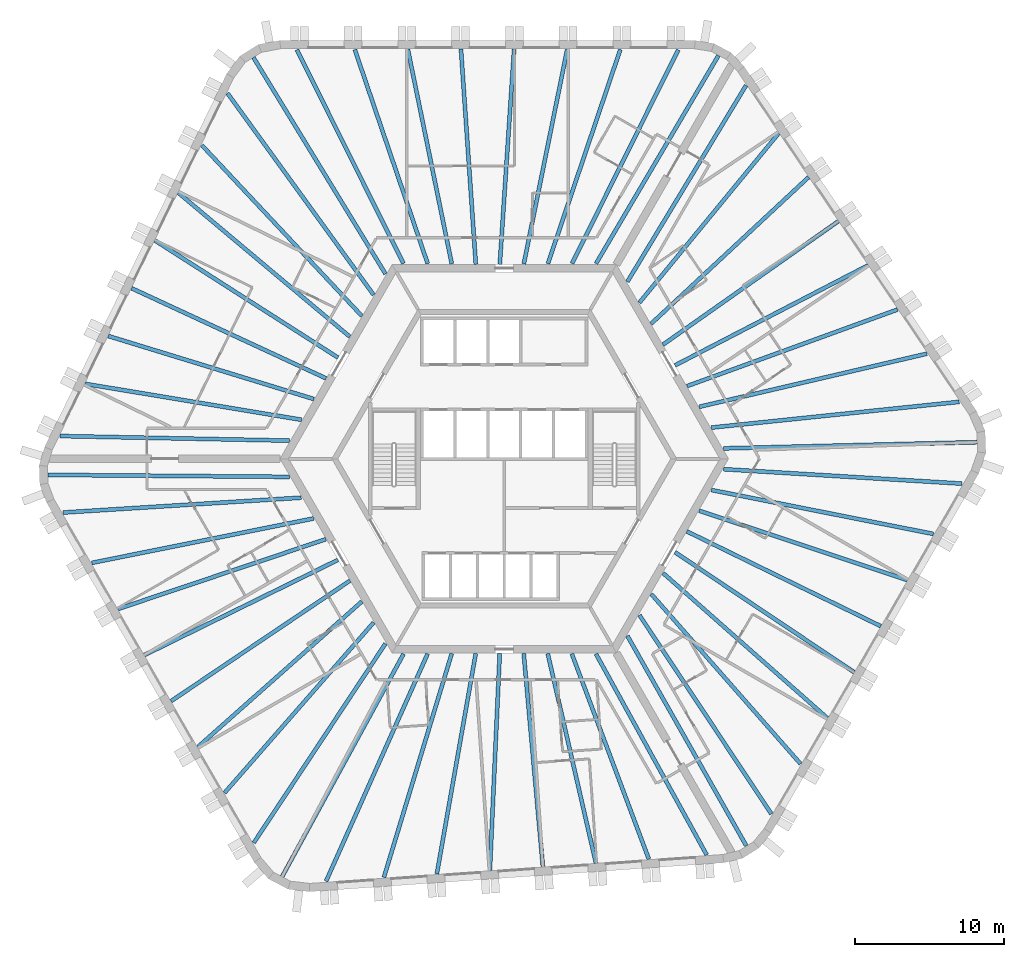
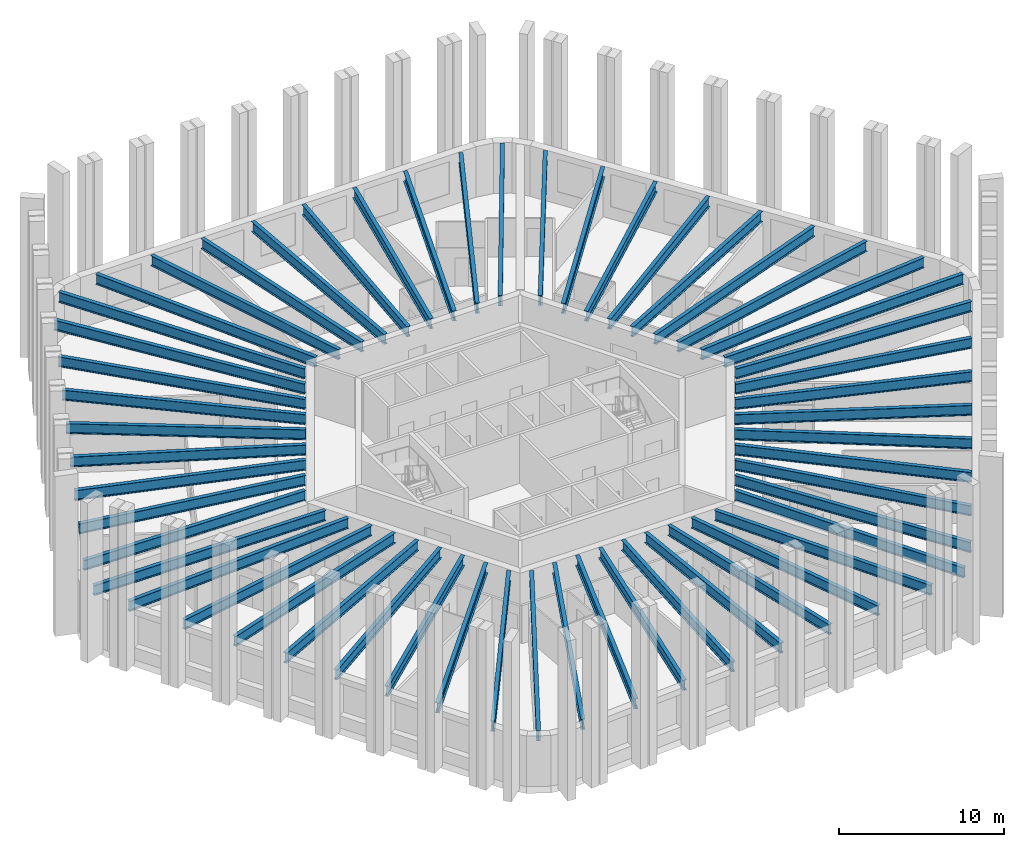
# One storey, part 1 of 10: 54 beams.
"""IFC4 building model written with IfcOpenShell, lengths in metres."""

from ifc_helpers import new_model, si_unit, direction, frame, origin, origin_2d, place, context, subcontext, project, spatial, i_section, extrude, material, material_profile, profile_set, type_object, element, save


model = new_model("IFC4")

# Units and contexts
model_context = context("Model", 3, precision=1e-05, world=origin(), true_north=direction((0.0, 1.0)))
body_context = subcontext(model_context, "Body", "Model", "MODEL_VIEW")
ifc_project = project(units=[si_unit("LENGTHUNIT", "METRE"), si_unit("AREAUNIT", "SQUARE_METRE"), si_unit("VOLUMEUNIT", "CUBIC_METRE"), si_unit("PLANEANGLEUNIT", "RADIAN"), si_unit("MASSUNIT", "GRAM", prefix="KILO")], contexts=[model_context])

# Site, building, storey
site_placement = place(None, origin())
site = spatial("IfcSite", under=ifc_project, at=site_placement, CompositionType="ELEMENT")
building_placement = place(site_placement, origin())
building = spatial("IfcBuilding", under=site, at=building_placement, Name="Tarnside Tower", CompositionType="ELEMENT")
storey_placement = place(building_placement, frame((0.0, 0.0, 152.699951171875)))
storey = spatial("IfcBuildingStorey", under=building, at=storey_placement, Name="L35", CompositionType="ELEMENT", Elevation=152.699951171875)

# Beams
ifc_material = material(Name="Steel S355", Category="steel")
ifc_material_profile_1 = material_profile(ifc_material, i_section(OverallWidth=0.26513671875, OverallDepth=0.75390625, WebThickness=0.0126953125, FlangeThickness=0.017578125, FilletRadius=0.0166015625, at=origin_2d()), Name="UB 762x267x147")
ifc_profile_set_1 = profile_set([ifc_material_profile_1], Name="Steel S355")
beam_type_1 = type_object("IfcBeamType", Name="Floor beam UB 762x267x147", PredefinedType="BEAM", material=ifc_profile_set_1)
beam_1_placement = place(storey_placement, frame((7.77001953125, 27.393310546875, 3.373046875), z_axis=(-0.320362579778, -0.947295000239, 0.0), x_axis=(0.947295000239, -0.320362579778, 0.0)))
element("IfcBeam", 1, at=beam_1_placement, inside=storey, type_object=beam_type_1, Name="Floor beam F1.02", PredefinedType="BEAM", context=body_context, shape_type="SweptSolid", body=[
    extrude(i_section(OverallWidth=0.26513671875, OverallDepth=0.75390625, WebThickness=0.0126953125, FlangeThickness=0.017578125, FilletRadius=0.0166015625, at=origin_2d()), origin(), (0.0, 0.0, 1.0), 15.134033203125),
])
beam_2_placement = place(storey_placement, frame((4.218505859375, 27.410888671875, 3.373046875), z_axis=(-0.19841777413, -0.980117537293, 0.0), x_axis=(0.980117537293, -0.19841777413, 0.0)))
element("IfcBeam", 2, at=beam_2_placement, inside=storey, type_object=beam_type_1, Name="Floor beam F1.03", PredefinedType="BEAM", context=body_context, shape_type="SweptSolid", body=[
    extrude(i_section(OverallWidth=0.26513671875, OverallDepth=0.75390625, WebThickness=0.0126953125, FlangeThickness=0.017578125, FilletRadius=0.0166015625, at=origin_2d()), origin(), (0.0, 0.0, 1.0), 14.6630859375),
])
beam_3_placement = place(storey_placement, frame((0.66259765625, 27.429931640625, 3.373046875), z_axis=(-0.066554914868, -0.997782763585, 0.0), x_axis=(0.997782763585, -0.066554914868, 0.0)))
element("IfcBeam", 3, at=beam_3_placement, inside=storey, type_object=beam_type_1, Name="Floor beam F1.04", PredefinedType="BEAM", context=body_context, shape_type="SweptSolid", body=[
    extrude(i_section(OverallWidth=0.26513671875, OverallDepth=0.75390625, WebThickness=0.0126953125, FlangeThickness=0.017578125, FilletRadius=0.0166015625, at=origin_2d()), origin(), (0.0, 0.0, 1.0), 14.44189453125),
])
beam_4_placement = place(storey_placement, frame((-2.8974609375, 27.429931640625, 3.373046875), z_axis=(0.068876921658, -0.997625164911, 0.0), x_axis=(0.997625164911, 0.068876921658, 0.0)))
element("IfcBeam", 4, at=beam_4_placement, inside=storey, type_object=beam_type_1, Name="Floor beam F1.05", PredefinedType="BEAM", context=body_context, shape_type="SweptSolid", body=[
    extrude(i_section(OverallWidth=0.26513671875, OverallDepth=0.75390625, WebThickness=0.0126953125, FlangeThickness=0.017578125, FilletRadius=0.0166015625, at=origin_2d()), origin(), (0.0, 0.0, 1.0), 14.4443359375),
])
beam_5_placement = place(storey_placement, frame((-6.45361328125, 27.410888671875, 3.373046875), z_axis=(0.200623497398, -0.979668419564, 0.0), x_axis=(0.979668419564, 0.200623497398, 0.0)))
element("IfcBeam", 5, at=beam_5_placement, inside=storey, type_object=beam_type_1, Name="Floor beam F1.06", PredefinedType="BEAM", context=body_context, shape_type="SweptSolid", body=[
    extrude(i_section(OverallWidth=0.26513671875, OverallDepth=0.75390625, WebThickness=0.0126953125, FlangeThickness=0.017578125, FilletRadius=0.0166015625, at=origin_2d()), origin(), (0.0, 0.0, 1.0), 14.669921875),
])
beam_6_placement = place(storey_placement, frame((-10.0048828125, 27.393310546875, 3.373046875), z_axis=(0.322343712034, -0.946622697442, 0.0), x_axis=(0.946622697442, 0.322343712034, 0.0)))
element("IfcBeam", 6, at=beam_6_placement, inside=storey, type_object=beam_type_1, Name="Floor beam F1.07", PredefinedType="BEAM", context=body_context, shape_type="SweptSolid", body=[
    extrude(i_section(OverallWidth=0.26513671875, OverallDepth=0.75390625, WebThickness=0.0126953125, FlangeThickness=0.017578125, FilletRadius=0.0166015625, at=origin_2d()), origin(), (0.0, 0.0, 1.0), 15.144775390625),
])
beam_7_placement = place(storey_placement, frame((-20.241455078125, 20.9892578125, 3.373046875), z_axis=(0.683752330283, -0.729714156936, 0.0), x_axis=(0.729714156936, 0.683752330283, 0.0)))
element("IfcBeam", 7, at=beam_7_placement, inside=storey, type_object=beam_type_1, Name="Floor beam F2.02", PredefinedType="BEAM", context=body_context, shape_type="SweptSolid", body=[
    extrude(i_section(OverallWidth=0.26513671875, OverallDepth=0.75390625, WebThickness=0.0126953125, FlangeThickness=0.017578125, FilletRadius=0.0166015625, at=origin_2d()), origin(), (0.0, 0.0, 1.0), 15.6591796875),
])
beam_8_placement = place(storey_placement, frame((-21.81396484375, 17.80419921875, 3.373046875), z_axis=(0.765948461073, -0.642901979294, 0.0), x_axis=(0.642901979294, 0.765948461073, 0.0)))
element("IfcBeam", 8, at=beam_8_placement, inside=storey, type_object=beam_type_1, Name="Floor beam F2.03", PredefinedType="BEAM", context=body_context, shape_type="SweptSolid", body=[
    extrude(i_section(OverallWidth=0.26513671875, OverallDepth=0.75390625, WebThickness=0.0126953125, FlangeThickness=0.017578125, FilletRadius=0.0166015625, at=origin_2d()), origin(), (0.0, 0.0, 1.0), 14.982177734375),
])
beam_9_placement = place(storey_placement, frame((-23.389892578125, 14.616455078125, 3.373046875), z_axis=(0.842378275633, -0.538886667808, 0.0), x_axis=(0.538886667808, 0.842378275633, 0.0)))
element("IfcBeam", 9, at=beam_9_placement, inside=storey, type_object=beam_type_1, Name="Floor beam F2.04", PredefinedType="BEAM", context=body_context, shape_type="SweptSolid", body=[
    extrude(i_section(OverallWidth=0.26513671875, OverallDepth=0.75390625, WebThickness=0.0126953125, FlangeThickness=0.017578125, FilletRadius=0.0166015625, at=origin_2d()), origin(), (0.0, 0.0, 1.0), 14.5595703125),
])
beam_10_placement = place(storey_placement, frame((-24.9501953125, 11.416748046875, 3.373046875), z_axis=(0.907310131748, -0.420462037321, 0.0), x_axis=(0.420462037321, 0.907310131748, 0.0)))
element("IfcBeam", 10, at=beam_10_placement, inside=storey, type_object=beam_type_1, Name="Floor beam F2.05", PredefinedType="BEAM", context=body_context, shape_type="SweptSolid", body=[
    extrude(i_section(OverallWidth=0.26513671875, OverallDepth=0.75390625, WebThickness=0.0126953125, FlangeThickness=0.017578125, FilletRadius=0.0166015625, at=origin_2d()), origin(), (0.0, 0.0, 1.0), 14.353515625),
])
beam_11_placement = place(storey_placement, frame((-26.510986328125, 8.2177734375, 3.373046875), z_axis=(0.956073348261, -0.293127536654, 0.0), x_axis=(0.293127536654, 0.956073348261, 0.0)))
element("IfcBeam", 11, at=beam_11_placement, inside=storey, type_object=beam_type_1, Name="Floor beam F2.06", PredefinedType="BEAM", context=body_context, shape_type="SweptSolid", body=[
    extrude(i_section(OverallWidth=0.26513671875, OverallDepth=0.75390625, WebThickness=0.0126953125, FlangeThickness=0.017578125, FilletRadius=0.0166015625, at=origin_2d()), origin(), (0.0, 0.0, 1.0), 14.3955078125),
])
beam_12_placement = place(storey_placement, frame((-28.0517578125, 5.015869140625, 3.373046875), z_axis=(0.986476498304, -0.163902770858, 0.0), x_axis=(0.163902770858, 0.986476498304, 0.0)))
element("IfcBeam", 12, at=beam_12_placement, inside=storey, type_object=beam_type_1, Name="Floor beam F2.07", PredefinedType="BEAM", context=body_context, shape_type="SweptSolid", body=[
    extrude(i_section(OverallWidth=0.26513671875, OverallDepth=0.75390625, WebThickness=0.0126953125, FlangeThickness=0.017578125, FilletRadius=0.0166015625, at=origin_2d()), origin(), (0.0, 0.0, 1.0), 14.680908203125),
])
beam_13_placement = place(storey_placement, frame((-29.73828125, 1.521484375, 3.373046875), z_axis=(0.999800142641, -0.019991867701, 0.0), x_axis=(0.019991867701, 0.999800142641, 0.0)))
element("IfcBeam", 13, at=beam_13_placement, inside=storey, type_object=beam_type_1, Name="Floor beam F2.08", PredefinedType="BEAM", context=body_context, shape_type="SweptSolid", body=[
    extrude(i_section(OverallWidth=0.26513671875, OverallDepth=0.75390625, WebThickness=0.0126953125, FlangeThickness=0.017578125, FilletRadius=0.0166015625, at=origin_2d()), origin(), (0.0, 0.0, 1.0), 15.3505859375),
])
beam_14_placement = place(storey_placement, frame((-27.608154296875, -6.967529296875, 3.373046875), z_axis=(0.980564540422, 0.196196794232, 0.0), x_axis=(-0.196196794232, 0.980564540422, 0.0)))
element("IfcBeam", 14, at=beam_14_placement, inside=storey, type_object=beam_type_1, Name="Floor beam F3.02", PredefinedType="BEAM", context=body_context, shape_type="SweptSolid", body=[
    extrude(i_section(OverallWidth=0.26513671875, OverallDepth=0.75390625, WebThickness=0.0126953125, FlangeThickness=0.017578125, FilletRadius=0.0166015625, at=origin_2d()), origin(), (0.0, 0.0, 1.0), 15.134033203125),
])
beam_15_placement = place(storey_placement, frame((-25.84765625, -10.052001953125, 3.373046875), z_axis=(0.948011835322, 0.31823507049, 0.0), x_axis=(-0.31823507049, 0.948011835322, 0.0)))
element("IfcBeam", 15, at=beam_15_placement, inside=storey, type_object=beam_type_1, Name="Floor beam F3.03", PredefinedType="BEAM", context=body_context, shape_type="SweptSolid", body=[
    extrude(i_section(OverallWidth=0.26513671875, OverallDepth=0.75390625, WebThickness=0.0126953125, FlangeThickness=0.017578125, FilletRadius=0.0166015625, at=origin_2d()), origin(), (0.0, 0.0, 1.0), 14.662841796875),
])
beam_16_placement = place(storey_placement, frame((-24.086181640625, -13.141357421875, 3.373046875), z_axis=(0.897375974806, 0.441266767206, 0.0), x_axis=(-0.441266767206, 0.897375974806, 0.0)))
element("IfcBeam", 16, at=beam_16_placement, inside=storey, type_object=beam_type_1, Name="Floor beam F3.04", PredefinedType="BEAM", context=body_context, shape_type="SweptSolid", body=[
    extrude(i_section(OverallWidth=0.26513671875, OverallDepth=0.75390625, WebThickness=0.0126953125, FlangeThickness=0.017578125, FilletRadius=0.0166015625, at=origin_2d()), origin(), (0.0, 0.0, 1.0), 14.442138671875),
])
beam_17_placement = place(storey_placement, frame((-22.306396484375, -16.224365234375, 3.373046875), z_axis=(0.829532486243, 0.558458462437, 0.0), x_axis=(-0.558458462437, 0.829532486243, 0.0)))
element("IfcBeam", 17, at=beam_17_placement, inside=storey, type_object=beam_type_1, Name="Floor beam F3.05", PredefinedType="BEAM", context=body_context, shape_type="SweptSolid", body=[
    extrude(i_section(OverallWidth=0.26513671875, OverallDepth=0.75390625, WebThickness=0.0126953125, FlangeThickness=0.017578125, FilletRadius=0.0166015625, at=origin_2d()), origin(), (0.0, 0.0, 1.0), 14.444580078125),
])
beam_18_placement = place(storey_placement, frame((-20.51171875, -19.294189453125, 3.373046875), z_axis=(0.74811408094, 0.663570133369, 0.0), x_axis=(-0.663570133369, 0.74811408094, 0.0)))
element("IfcBeam", 18, at=beam_18_placement, inside=storey, type_object=beam_type_1, Name="Floor beam F3.06", PredefinedType="BEAM", context=body_context, shape_type="SweptSolid", body=[
    extrude(i_section(OverallWidth=0.26513671875, OverallDepth=0.75390625, WebThickness=0.0126953125, FlangeThickness=0.017578125, FilletRadius=0.0166015625, at=origin_2d()), origin(), (0.0, 0.0, 1.0), 14.669677734375),
])
beam_19_placement = place(storey_placement, frame((-18.720703125, -22.361083984375, 3.373046875), z_axis=(0.658621010302, 0.752474826681, 0.0), x_axis=(-0.752474826681, 0.658621010302, 0.0)))
element("IfcBeam", 19, at=beam_19_placement, inside=storey, type_object=beam_type_1, Name="Floor beam F3.07", PredefinedType="BEAM", context=body_context, shape_type="SweptSolid", body=[
    extrude(i_section(OverallWidth=0.26513671875, OverallDepth=0.75390625, WebThickness=0.0126953125, FlangeThickness=0.017578125, FilletRadius=0.0166015625, at=origin_2d()), origin(), (0.0, 0.0, 1.0), 15.144775390625),
])
beam_20_placement = place(storey_placement, frame((-8.056396484375, -28.024169921875, 3.373046875), z_axis=(0.290070138838, 0.957005388989, 0.0), x_axis=(-0.957005388989, 0.290070138838, 0.0)))
element("IfcBeam", 20, at=beam_20_placement, inside=storey, type_object=beam_type_1, Name="Floor beam F4.02", PredefinedType="BEAM", context=body_context, shape_type="SweptSolid", body=[
    extrude(i_section(OverallWidth=0.26513671875, OverallDepth=0.75390625, WebThickness=0.0126953125, FlangeThickness=0.017578125, FilletRadius=0.0166015625, at=origin_2d()), origin(), (0.0, 0.0, 1.0), 15.6591796875),
])
beam_21_placement = place(storey_placement, frame((-4.511962890625, -27.793701171875, 3.373046875), z_axis=(0.173788122681, 0.984783066678, 0.0), x_axis=(-0.984783066678, 0.173788122681, 0.0)))
element("IfcBeam", 21, at=beam_21_placement, inside=storey, type_object=beam_type_1, Name="Floor beam F4.03", PredefinedType="BEAM", context=body_context, shape_type="SweptSolid", body=[
    extrude(i_section(OverallWidth=0.26513671875, OverallDepth=0.75390625, WebThickness=0.0126953125, FlangeThickness=0.017578125, FilletRadius=0.0166015625, at=origin_2d()), origin(), (0.0, 0.0, 1.0), 14.982421875),
])
beam_22_placement = place(storey_placement, frame((-0.96337890625, -27.564453125, 3.373046875), z_axis=(0.045509585226, 0.998963902077, 0.0), x_axis=(-0.998963902077, 0.045509585226, 0.0)))
element("IfcBeam", 22, at=beam_22_placement, inside=storey, type_object=beam_type_1, Name="Floor beam F4.04", PredefinedType="BEAM", context=body_context, shape_type="SweptSolid", body=[
    extrude(i_section(OverallWidth=0.26513671875, OverallDepth=0.75390625, WebThickness=0.0126953125, FlangeThickness=0.017578125, FilletRadius=0.0166015625, at=origin_2d()), origin(), (0.0, 0.0, 1.0), 14.5595703125),
])
beam_23_placement = place(storey_placement, frame((2.587890625, -27.31591796875, 3.373046875), z_axis=(-0.089518916897, 0.995985122137, 0.0), x_axis=(-0.995985122137, -0.089518916897, 0.0)))
element("IfcBeam", 23, at=beam_23_placement, inside=storey, type_object=beam_type_1, Name="Floor beam F4.05", PredefinedType="BEAM", context=body_context, shape_type="SweptSolid", body=[
    extrude(i_section(OverallWidth=0.26513671875, OverallDepth=0.75390625, WebThickness=0.0126953125, FlangeThickness=0.017578125, FilletRadius=0.0166015625, at=origin_2d()), origin(), (0.0, 0.0, 1.0), 14.353515625),
])
beam_24_placement = place(storey_placement, frame((6.138671875, -27.068115234375, 3.373046875), z_axis=(-0.224188122435, 0.974545886944, 0.0), x_axis=(-0.974545886944, -0.224188122435, 0.0)))
element("IfcBeam", 24, at=beam_24_placement, inside=storey, type_object=beam_type_1, Name="Floor beam F4.06", PredefinedType="BEAM", context=body_context, shape_type="SweptSolid", body=[
    extrude(i_section(OverallWidth=0.26513671875, OverallDepth=0.75390625, WebThickness=0.0126953125, FlangeThickness=0.017578125, FilletRadius=0.0166015625, at=origin_2d()), origin(), (0.0, 0.0, 1.0), 14.3955078125),
])
beam_25_placement = place(storey_placement, frame((9.681884765625, -26.801513671875, 3.373046875), z_axis=(-0.351271055087, 0.936273809234, 0.0), x_axis=(-0.936273809234, -0.351271055087, 0.0)))
element("IfcBeam", 25, at=beam_25_placement, inside=storey, type_object=beam_type_1, Name="Floor beam F4.07", PredefinedType="BEAM", context=body_context, shape_type="SweptSolid", body=[
    extrude(i_section(OverallWidth=0.26513671875, OverallDepth=0.75390625, WebThickness=0.0126953125, FlangeThickness=0.017578125, FilletRadius=0.0166015625, at=origin_2d()), origin(), (0.0, 0.0, 1.0), 14.680908203125),
])
beam_26_placement = place(storey_placement, frame((13.551513671875, -26.514892578125, 3.373046875), z_axis=(-0.482584088089, 0.875849643445, 0.0), x_axis=(-0.875849643445, -0.482584088089, 0.0)))
element("IfcBeam", 26, at=beam_26_placement, inside=storey, type_object=beam_type_1, Name="Floor beam F4.08", PredefinedType="BEAM", context=body_context, shape_type="SweptSolid", body=[
    extrude(i_section(OverallWidth=0.26513671875, OverallDepth=0.75390625, WebThickness=0.0126953125, FlangeThickness=0.017578125, FilletRadius=0.0166015625, at=origin_2d()), origin(), (0.0, 0.0, 1.0), 15.3505859375),
])
beam_27_placement = place(storey_placement, frame((19.838134765625, -20.425537109375, 3.373046875), z_axis=(-0.660201214512, 0.751088780609, 0.0), x_axis=(-0.751088780609, -0.660201214512, 0.0)))
element("IfcBeam", 27, at=beam_27_placement, inside=storey, type_object=beam_type_1, Name="Floor beam F5.02", PredefinedType="BEAM", context=body_context, shape_type="SweptSolid", body=[
    extrude(i_section(OverallWidth=0.26513671875, OverallDepth=0.75390625, WebThickness=0.0126953125, FlangeThickness=0.017578125, FilletRadius=0.0166015625, at=origin_2d()), origin(), (0.0, 0.0, 1.0), 15.134033203125),
])
beam_28_placement = place(storey_placement, frame((21.629150390625, -17.358642578125, 3.373046875), z_axis=(-0.749601662028, 0.661889226597, 0.0), x_axis=(-0.661889226597, -0.749601662028, 0.0)))
element("IfcBeam", 28, at=beam_28_placement, inside=storey, type_object=beam_type_1, Name="Floor beam F5.03", PredefinedType="BEAM", context=body_context, shape_type="SweptSolid", body=[
    extrude(i_section(OverallWidth=0.26513671875, OverallDepth=0.75390625, WebThickness=0.0126953125, FlangeThickness=0.017578125, FilletRadius=0.0166015625, at=origin_2d()), origin(), (0.0, 0.0, 1.0), 14.6630859375),
])
beam_29_placement = place(storey_placement, frame((23.423828125, -14.288818359375, 3.373046875), z_axis=(-0.830825943553, 0.556532345439, 0.0), x_axis=(-0.556532345439, -0.830825943553, 0.0)))
element("IfcBeam", 29, at=beam_29_placement, inside=storey, type_object=beam_type_1, Name="Floor beam F5.04", PredefinedType="BEAM", context=body_context, shape_type="SweptSolid", body=[
    extrude(i_section(OverallWidth=0.26513671875, OverallDepth=0.75390625, WebThickness=0.0126953125, FlangeThickness=0.017578125, FilletRadius=0.0166015625, at=origin_2d()), origin(), (0.0, 0.0, 1.0), 14.4423828125),
])
beam_30_placement = place(storey_placement, frame((25.203857421875, -11.205810546875, 3.373046875), z_axis=(-0.898407034897, 0.43916375038, 0.0), x_axis=(-0.43916375038, -0.898407034897, 0.0)))
element("IfcBeam", 30, at=beam_30_placement, inside=storey, type_object=beam_type_1, Name="Floor beam F5.05", PredefinedType="BEAM", context=body_context, shape_type="SweptSolid", body=[
    extrude(i_section(OverallWidth=0.26513671875, OverallDepth=0.75390625, WebThickness=0.0126953125, FlangeThickness=0.017578125, FilletRadius=0.0166015625, at=origin_2d()), origin(), (0.0, 0.0, 1.0), 14.444580078125),
])
beam_31_placement = place(storey_placement, frame((26.965087890625, -8.116455078125, 3.373046875), z_axis=(-0.948728223501, 0.31609295774, 0.0), x_axis=(-0.31609295774, -0.948728223501, 0.0)))
element("IfcBeam", 31, at=beam_31_placement, inside=storey, type_object=beam_type_1, Name="Floor beam F5.06", PredefinedType="BEAM", context=body_context, shape_type="SweptSolid", body=[
    extrude(i_section(OverallWidth=0.26513671875, OverallDepth=0.75390625, WebThickness=0.0126953125, FlangeThickness=0.017578125, FilletRadius=0.0166015625, at=origin_2d()), origin(), (0.0, 0.0, 1.0), 14.669677734375),
])
beam_32_placement = place(storey_placement, frame((28.7255859375, -5.031982421875, 3.373046875), z_axis=(-0.980974250646, 0.194137888034, 0.0), x_axis=(-0.194137888034, -0.980974250646, 0.0)))
element("IfcBeam", 32, at=beam_32_placement, inside=storey, type_object=beam_type_1, Name="Floor beam F5.07", PredefinedType="BEAM", context=body_context, shape_type="SweptSolid", body=[
    extrude(i_section(OverallWidth=0.26513671875, OverallDepth=0.75390625, WebThickness=0.0126953125, FlangeThickness=0.017578125, FilletRadius=0.0166015625, at=origin_2d()), origin(), (0.0, 0.0, 1.0), 15.144775390625),
])
beam_33_placement = place(storey_placement, frame((28.2978515625, 7.034912109375, 3.373046875), z_axis=(-0.973828212928, -0.227285309042, 0.0), x_axis=(0.227285309042, -0.973828212928, 0.0)))
element("IfcBeam", 33, at=beam_33_placement, inside=storey, type_object=beam_type_1, Name="Floor beam F6.02", PredefinedType="BEAM", context=body_context, shape_type="SweptSolid", body=[
    extrude(i_section(OverallWidth=0.26513671875, OverallDepth=0.75390625, WebThickness=0.0126953125, FlangeThickness=0.017578125, FilletRadius=0.0166015625, at=origin_2d()), origin(), (0.0, 0.0, 1.0), 15.6591796875),
])
beam_34_placement = place(storey_placement, frame((26.325927734375, 9.989501953125, 3.373046875), z_axis=(-0.939738697004, -0.341893523415, 0.0), x_axis=(0.341893523415, -0.939738697004, 0.0)))
element("IfcBeam", 34, at=beam_34_placement, inside=storey, type_object=beam_type_1, Name="Floor beam F6.03", PredefinedType="BEAM", context=body_context, shape_type="SweptSolid", body=[
    extrude(i_section(OverallWidth=0.26513671875, OverallDepth=0.75390625, WebThickness=0.0126953125, FlangeThickness=0.017578125, FilletRadius=0.0166015625, at=origin_2d()), origin(), (0.0, 0.0, 1.0), 14.982177734375),
])
beam_35_placement = place(storey_placement, frame((24.353271484375, 12.947998046875, 3.373046875), z_axis=(-0.887881646639, -0.460071930856, 0.0), x_axis=(0.460071930856, -0.887881646639, 0.0)))
element("IfcBeam", 35, at=beam_35_placement, inside=storey, type_object=beam_type_1, Name="Floor beam F6.04", PredefinedType="BEAM", context=body_context, shape_type="SweptSolid", body=[
    extrude(i_section(OverallWidth=0.26513671875, OverallDepth=0.75390625, WebThickness=0.0126953125, FlangeThickness=0.017578125, FilletRadius=0.0166015625, at=origin_2d()), origin(), (0.0, 0.0, 1.0), 14.5595703125),
])
beam_36_placement = place(storey_placement, frame((22.3623046875, 15.899169921875, 3.373046875), z_axis=(-0.817791001708, -0.575515314762, 0.0), x_axis=(0.575515314762, -0.817791001708, 0.0)))
element("IfcBeam", 36, at=beam_36_placement, inside=storey, type_object=beam_type_1, Name="Floor beam F6.05", PredefinedType="BEAM", context=body_context, shape_type="SweptSolid", body=[
    extrude(i_section(OverallWidth=0.26513671875, OverallDepth=0.75390625, WebThickness=0.0126953125, FlangeThickness=0.017578125, FilletRadius=0.0166015625, at=origin_2d()), origin(), (0.0, 0.0, 1.0), 14.353759765625),
])
beam_37_placement = place(storey_placement, frame((20.372314453125, 18.850341796875, 3.373046875), z_axis=(-0.731892224456, -0.681420407517, 0.0), x_axis=(0.681420407517, -0.731892224456, 0.0)))
element("IfcBeam", 37, at=beam_37_placement, inside=storey, type_object=beam_type_1, Name="Floor beam F6.06", PredefinedType="BEAM", context=body_context, shape_type="SweptSolid", body=[
    extrude(i_section(OverallWidth=0.26513671875, OverallDepth=0.75390625, WebThickness=0.0126953125, FlangeThickness=0.017578125, FilletRadius=0.0166015625, at=origin_2d()), origin(), (0.0, 0.0, 1.0), 14.3955078125),
])
beam_38_placement = place(storey_placement, frame((18.369873046875, 21.78564453125, 3.373046875), z_axis=(-0.635191827457, -0.772354414975, 0.0), x_axis=(0.772354414975, -0.635191827457, 0.0)))
element("IfcBeam", 38, at=beam_38_placement, inside=storey, type_object=beam_type_1, Name="Floor beam F6.07", PredefinedType="BEAM", context=body_context, shape_type="SweptSolid", body=[
    extrude(i_section(OverallWidth=0.26513671875, OverallDepth=0.75390625, WebThickness=0.0126953125, FlangeThickness=0.017578125, FilletRadius=0.0166015625, at=origin_2d()), origin(), (0.0, 0.0, 1.0), 14.680908203125),
])
beam_39_placement = place(storey_placement, frame((16.186767578125, 24.993408203125, 3.373046875), z_axis=(-0.517208605106, -0.855859368591, 0.0), x_axis=(0.855859368591, -0.517208605106, 0.0)))
element("IfcBeam", 39, at=beam_39_placement, inside=storey, type_object=beam_type_1, Name="Floor beam F6.08", PredefinedType="BEAM", context=body_context, shape_type="SweptSolid", body=[
    extrude(i_section(OverallWidth=0.26513671875, OverallDepth=0.75390625, WebThickness=0.0126953125, FlangeThickness=0.017578125, FilletRadius=0.0166015625, at=origin_2d()), origin(), (0.0, 0.0, 1.0), 15.3505859375),
])
ifc_material_profile_2 = material_profile(ifc_material, i_section(OverallWidth=0.2666015625, OverallDepth=0.76220703125, WebThickness=0.014404296875, FlangeThickness=0.021484375, FilletRadius=0.0166015625, at=origin_2d()), Name="UB 762x267x173")
ifc_profile_set_2 = profile_set([ifc_material_profile_2], Name="Steel S355")
beam_type_2 = type_object("IfcBeamType", Name="Floor beam UB 762x267x173", PredefinedType="BEAM", material=ifc_profile_set_2)
beam_40_placement = place(storey_placement, frame((11.6494140625, 27.37841796875, 3.368896484375), z_axis=(-0.445042310328, -0.895509543231, 0.0), x_axis=(0.895509543231, -0.445042310328, 0.0)))
element("IfcBeam", 40, at=beam_40_placement, inside=storey, type_object=beam_type_2, Name="Floor beam F1.01", PredefinedType="BEAM", context=body_context, shape_type="SweptSolid", body=[
    extrude(i_section(OverallWidth=0.2666015625, OverallDepth=0.76220703125, WebThickness=0.014404296875, FlangeThickness=0.021484375, FilletRadius=0.0166015625, at=origin_2d()), origin(), (0.0, 0.0, 1.0), 15.976318359375),
])
beam_41_placement = place(storey_placement, frame((-13.884521484375, 27.37841796875, 3.368896484375), z_axis=(0.44673108957, -0.894668281326, 0.0), x_axis=(0.894668281326, 0.44673108957, 0.0)))
element("IfcBeam", 41, at=beam_41_placement, inside=storey, type_object=beam_type_2, Name="Floor beam F1.08", PredefinedType="BEAM", context=body_context, shape_type="SweptSolid", body=[
    extrude(i_section(OverallWidth=0.2666015625, OverallDepth=0.76220703125, WebThickness=0.014404296875, FlangeThickness=0.021484375, FilletRadius=0.0166015625, at=origin_2d()), origin(), (0.0, 0.0, 1.0), 15.9912109375),
])
beam_42_placement = place(storey_placement, frame((-16.79345703125, 26.86962890625, 3.368896484375), z_axis=(0.520940467881, -0.853593011291, 0.0), x_axis=(0.853593011291, 0.520940467881, 0.0)))
element("IfcBeam", 42, at=beam_42_placement, inside=storey, type_object=beam_type_2, Name="Floor beam C1", PredefinedType="BEAM", context=body_context, shape_type="SweptSolid", body=[
    extrude(i_section(OverallWidth=0.2666015625, OverallDepth=0.76220703125, WebThickness=0.014404296875, FlangeThickness=0.021484375, FilletRadius=0.0166015625, at=origin_2d()), origin(), (0.0, 0.0, 1.0), 16.980712890625),
])
beam_43_placement = place(storey_placement, frame((-18.52685546875, 24.471435546875, 3.368896484375), z_axis=(0.586791943415, -0.80973774467, 0.0), x_axis=(0.80973774467, 0.586791943415, 0.0)))
element("IfcBeam", 43, at=beam_43_placement, inside=storey, type_object=beam_type_2, Name="Floor beam F2.01", PredefinedType="BEAM", context=body_context, shape_type="SweptSolid", body=[
    extrude(i_section(OverallWidth=0.2666015625, OverallDepth=0.76220703125, WebThickness=0.014404296875, FlangeThickness=0.021484375, FilletRadius=0.0166015625, at=origin_2d()), origin(), (0.0, 0.0, 1.0), 16.67578125),
])
beam_44_placement = place(storey_placement, frame((-30.543212890625, -1.079345703125, 3.368896484375), z_axis=(0.999966072652, -0.008237326324, 0.0), x_axis=(0.008237326324, 0.999966072652, 0.0)))
element("IfcBeam", 44, at=beam_44_placement, inside=storey, type_object=beam_type_2, Name="Floor beam C2", PredefinedType="BEAM", context=body_context, shape_type="SweptSolid", body=[
    extrude(i_section(OverallWidth=0.2666015625, OverallDepth=0.76220703125, WebThickness=0.014404296875, FlangeThickness=0.021484375, FilletRadius=0.0166015625, at=origin_2d()), origin(), (0.0, 0.0, 1.0), 16.15283203125),
])
beam_45_placement = place(storey_placement, frame((-29.534912109375, -3.6005859375, 3.368896484375), z_axis=(0.99805531279, 0.062334521832, 0.0), x_axis=(-0.062334521832, 0.99805531279, 0.0)))
element("IfcBeam", 45, at=beam_45_placement, inside=storey, type_object=beam_type_2, Name="Floor beam F3.01", PredefinedType="BEAM", context=body_context, shape_type="SweptSolid", body=[
    extrude(i_section(OverallWidth=0.2666015625, OverallDepth=0.76220703125, WebThickness=0.014404296875, FlangeThickness=0.021484375, FilletRadius=0.0166015625, at=origin_2d()), origin(), (0.0, 0.0, 1.0), 15.975830078125),
])
beam_46_placement = place(storey_placement, frame((-16.768310546875, -25.71337890625, 3.368896484375), z_axis=(0.551447600123, 0.834209532623, 0.0), x_axis=(-0.834209532623, 0.551447600123, 0.0)))
element("IfcBeam", 46, at=beam_46_placement, inside=storey, type_object=beam_type_2, Name="Floor beam F3.08", PredefinedType="BEAM", context=body_context, shape_type="SweptSolid", body=[
    extrude(i_section(OverallWidth=0.2666015625, OverallDepth=0.76220703125, WebThickness=0.014404296875, FlangeThickness=0.021484375, FilletRadius=0.0166015625, at=origin_2d()), origin(), (0.0, 0.0, 1.0), 15.9912109375),
])
beam_47_placement = place(storey_placement, frame((-14.873046875, -27.978515625, 3.368896484375), z_axis=(0.478767512404, 0.877941723047, 0.0), x_axis=(-0.877941723047, 0.478767512404, 0.0)))
element("IfcBeam", 47, at=beam_47_placement, inside=storey, type_object=beam_type_2, Name="Floor beam C3", PredefinedType="BEAM", context=body_context, shape_type="SweptSolid", body=[
    extrude(i_section(OverallWidth=0.2666015625, OverallDepth=0.76220703125, WebThickness=0.014404296875, FlangeThickness=0.021484375, FilletRadius=0.0166015625, at=origin_2d()), origin(), (0.0, 0.0, 1.0), 16.98095703125),
])
beam_48_placement = place(storey_placement, frame((-11.929443359375, -28.280517578125, 3.368896484375), z_axis=(0.407852035629, 0.913048036542, 0.0), x_axis=(-0.913048036542, 0.407852035629, 0.0)))
element("IfcBeam", 48, at=beam_48_placement, inside=storey, type_object=beam_type_2, Name="Floor beam F4.01", PredefinedType="BEAM", context=body_context, shape_type="SweptSolid", body=[
    extrude(i_section(OverallWidth=0.2666015625, OverallDepth=0.76220703125, WebThickness=0.014404296875, FlangeThickness=0.021484375, FilletRadius=0.0166015625, at=origin_2d()), origin(), (0.0, 0.0, 1.0), 16.67578125),
])
beam_49_placement = place(storey_placement, frame((16.206298828125, -25.91162109375, 3.368896484375), z_axis=(-0.492847437034, 0.870115741616, 0.0), x_axis=(-0.870115741616, -0.492847437034, 0.0)))
element("IfcBeam", 49, at=beam_49_placement, inside=storey, type_object=beam_type_2, Name="Floor beam C4", PredefinedType="BEAM", context=body_context, shape_type="SweptSolid", body=[
    extrude(i_section(OverallWidth=0.2666015625, OverallDepth=0.76220703125, WebThickness=0.014404296875, FlangeThickness=0.021484375, FilletRadius=0.0166015625, at=origin_2d()), origin(), (0.0, 0.0, 1.0), 16.15283203125),
])
beam_50_placement = place(storey_placement, frame((17.8857421875, -23.77783203125, 3.368896484375), z_axis=(-0.553013371197, 0.833172377889, 0.0), x_axis=(-0.833172377889, -0.553013371197, 0.0)))
element("IfcBeam", 50, at=beam_50_placement, inside=storey, type_object=beam_type_2, Name="Floor beam F5.01", PredefinedType="BEAM", context=body_context, shape_type="SweptSolid", body=[
    extrude(i_section(OverallWidth=0.2666015625, OverallDepth=0.76220703125, WebThickness=0.014404296875, FlangeThickness=0.021484375, FilletRadius=0.0166015625, at=origin_2d()), origin(), (0.0, 0.0, 1.0), 15.97607421875),
])
beam_51_placement = place(storey_placement, frame((30.652587890625, -1.6650390625, 3.368896484375), z_axis=(-0.998170730858, 0.060458184371, 0.0), x_axis=(-0.060458184371, -0.998170730858, 0.0)))
element("IfcBeam", 51, at=beam_51_placement, inside=storey, type_object=beam_type_2, Name="Floor beam F5.08", PredefinedType="BEAM", context=body_context, shape_type="SweptSolid", body=[
    extrude(i_section(OverallWidth=0.2666015625, OverallDepth=0.76220703125, WebThickness=0.014404296875, FlangeThickness=0.021484375, FilletRadius=0.0166015625, at=origin_2d()), origin(), (0.0, 0.0, 1.0), 15.9912109375),
])
beam_52_placement = place(storey_placement, frame((31.66650390625, 1.108642578125, 3.368896484375), z_axis=(-0.999703706976, -0.024341287118, 0.0), x_axis=(0.024341287118, -0.999703706976, 0.0)))
element("IfcBeam", 52, at=beam_52_placement, inside=storey, type_object=beam_type_2, Name="Floor beam C5", PredefinedType="BEAM", context=body_context, shape_type="SweptSolid", body=[
    extrude(i_section(OverallWidth=0.2666015625, OverallDepth=0.76220703125, WebThickness=0.014404296875, FlangeThickness=0.021484375, FilletRadius=0.0166015625, at=origin_2d()), origin(), (0.0, 0.0, 1.0), 16.980712890625),
])
beam_53_placement = place(storey_placement, frame((30.456298828125, 3.80908203125, 3.368896484375), z_axis=(-0.994648352349, -0.103318222829, 0.0), x_axis=(0.103318222829, -0.994648352349, 0.0)))
element("IfcBeam", 53, at=beam_53_placement, inside=storey, type_object=beam_type_2, Name="Floor beam F6.01", PredefinedType="BEAM", context=body_context, shape_type="SweptSolid", body=[
    extrude(i_section(OverallWidth=0.2666015625, OverallDepth=0.76220703125, WebThickness=0.014404296875, FlangeThickness=0.021484375, FilletRadius=0.0166015625, at=origin_2d()), origin(), (0.0, 0.0, 1.0), 16.67578125),
])
beam_54_placement = place(storey_placement, frame((14.3369140625, 26.990966796875, 3.368896484375), z_axis=(-0.507115238706, -0.861878259775, 0.0), x_axis=(0.861878259775, -0.507115238706, 0.0)))
element("IfcBeam", 54, at=beam_54_placement, inside=storey, type_object=beam_type_2, Name="Floor beam C6", PredefinedType="BEAM", context=body_context, shape_type="SweptSolid", body=[
    extrude(i_section(OverallWidth=0.2666015625, OverallDepth=0.76220703125, WebThickness=0.014404296875, FlangeThickness=0.021484375, FilletRadius=0.0166015625, at=origin_2d()), origin(), (0.0, 0.0, 1.0), 16.15283203125),
])

save(model, "model.ifc")
